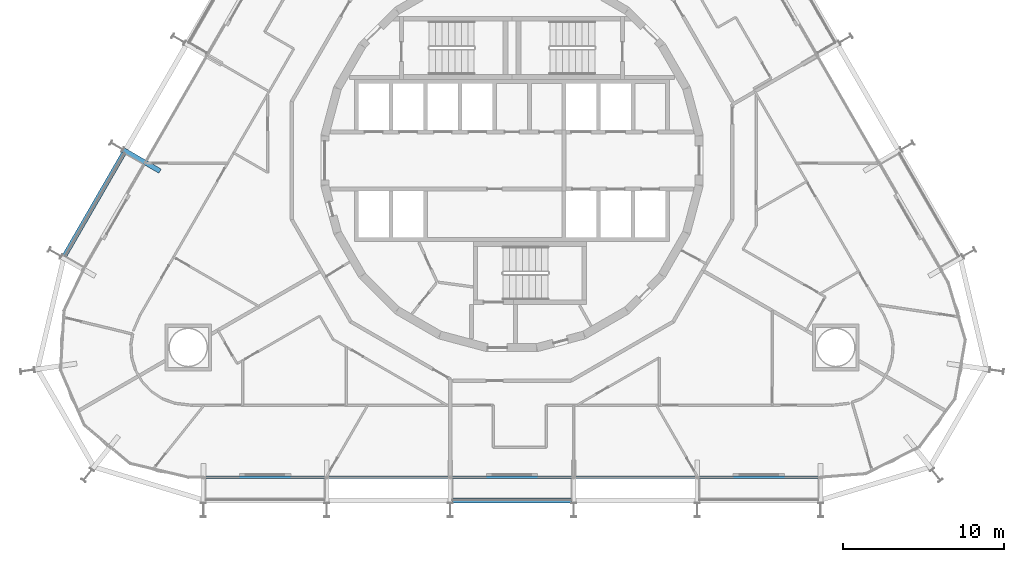
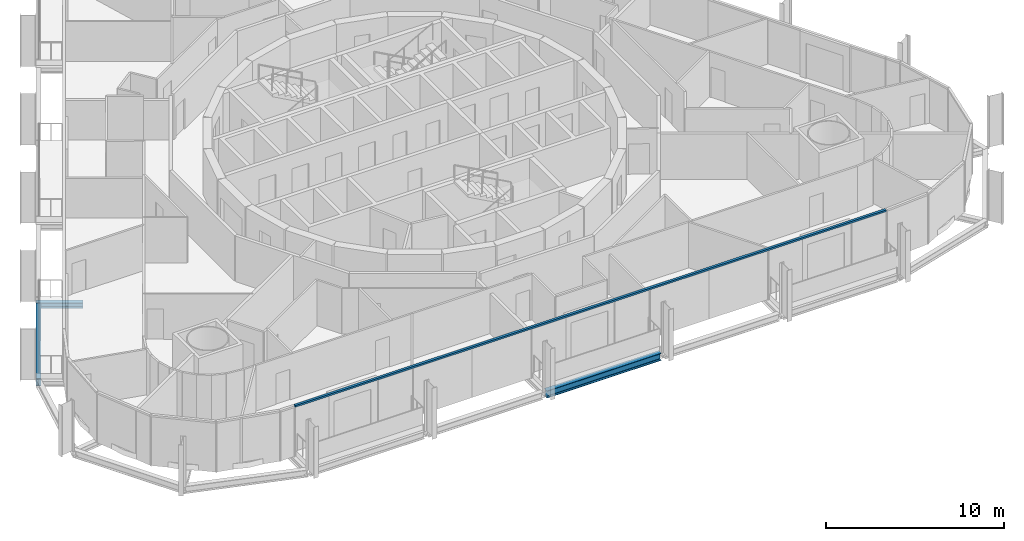
# One storey, part 4 of 20: 3 beams, 1 member, 1 element without a shape of its own.
"""IFC4 building model written with IfcOpenShell, lengths in metres."""

from ifc_helpers import new_model, si_unit, direction, frame, origin, origin_2d, place, context, subcontext, project, spatial, rectangle, i_section, extrude, material, layer, layer_set, material_profile, profile_set, type_object, element, aggregate, save


model = new_model("IFC4")

# Units and contexts
model_context = context("Model", 3, precision=1e-05, world=origin(), true_north=direction((0.0, 1.0)))
body_context = subcontext(model_context, "Body", "Model", "MODEL_VIEW")
ifc_project = project(units=[si_unit("LENGTHUNIT", "METRE"), si_unit("AREAUNIT", "SQUARE_METRE"), si_unit("VOLUMEUNIT", "CUBIC_METRE"), si_unit("PLANEANGLEUNIT", "RADIAN"), si_unit("MASSUNIT", "GRAM", prefix="KILO")], contexts=[model_context])

# Site, building, storey
site_placement = place(None, origin())
site = spatial("IfcSite", under=ifc_project, at=site_placement, CompositionType="ELEMENT")
building_placement = place(site_placement, origin())
building = spatial("IfcBuilding", under=site, at=building_placement, Name="Spindle Arch Residences", CompositionType="ELEMENT")
storey_placement = place(building_placement, frame((0.0, 0.0, 41.89990234375)))
storey = spatial("IfcBuildingStorey", under=building, at=storey_placement, Name="L08", CompositionType="ELEMENT", Elevation=41.89990234375)

# Curtain wall, member
ifc_material_1 = material(Name="Aluminium bronze unitised frame with tinted glass", Category="aluminium")
ifc_layer = layer(ifc_material_1, 0.159912109375)
ifc_layer_set = layer_set([ifc_layer], Name="CW-C typical residential unitised wall")
curtain_wall_type = type_object("IfcCurtainWallType", Name="CW-C typical residential unitised wall", PredefinedType="NOTDEFINED", material=ifc_layer_set)
curtain_wall_placement = place(storey_placement, origin())
curtain_wall = element("IfcCurtainWall", 1, at=curtain_wall_placement, inside=storey, type_object=curtain_wall_type, Name="CW-C L08 run 6", PredefinedType="NOTDEFINED")
ifc_material_2 = material(Name="Aluminium bronze anodised transom", Category="aluminium")
ifc_material_profile_1 = material_profile(ifc_material_2, rectangle(XDim=0.159912109375, YDim=0.1201171875, at=origin_2d()), Name="TR 120x160")
ifc_profile_set_1 = profile_set([ifc_material_profile_1], Name="Aluminium bronze anodised transom")
member_type = type_object("IfcMemberType", Name="Bronze transom 120x160", PredefinedType="USERDEFINED", material=ifc_profile_set_1)
member_placement = place(storey_placement, frame((-19.170166015625, -19.7099609375, 3.06005859375), z_axis=(1.0, 0.0, 0.0), x_axis=(0.0, 1.0, 0.0)))
member = element("IfcMember", 2, at=member_placement, type_object=member_type, Name="CW-C transom 00", ObjectType="TRANSOM", PredefinedType="USERDEFINED", context=body_context, shape_type="SweptSolid", body=[
    extrude(rectangle(XDim=0.159912109375, YDim=0.1201171875, at=origin_2d()), origin(), (0.0, 0.0, 1.0), 38.34033203125),
])
aggregate(curtain_wall, [member])

# Beams
ifc_material_3 = material(Name="Steel S460ML, intumescent coating R 120", Category="steel")
ifc_material_profile_2 = material_profile(ifc_material_3, i_section(OverallWidth=0.300048828125, OverallDepth=0.5, WebThickness=0.014404296875, FlangeThickness=0.028076171875, FilletRadius=0.027099609375, at=origin_2d()), Name="HEB 500")
ifc_profile_set_2 = profile_set([ifc_material_profile_2], Name="Steel S460ML, intumescent coating R 120")
beam_type_1 = type_object("IfcBeamType", Name="Exoskeleton edge beam HEB 500", PredefinedType="BEAM", material=ifc_profile_set_2)
beam_1_placement = place(storey_placement, frame((-24.13525390625, 0.482177734375, -0.6298828125), z_axis=(-0.49998923004, -0.866031621735, 0.0), x_axis=(0.866031621735, -0.49998923004, 0.0)))
element("IfcBeam", 3, at=beam_1_placement, inside=storey, type_object=beam_type_1, Name="Exoskeleton edge beam 18", PredefinedType="BEAM", context=body_context, shape_type="SweptSolid", body=[
    extrude(i_section(OverallWidth=0.300048828125, OverallDepth=0.5, WebThickness=0.014404296875, FlangeThickness=0.028076171875, FilletRadius=0.027099609375, at=origin_2d()), origin(), (0.0, 0.0, 1.0), 7.420166015625),
])
beam_2_placement = place(storey_placement, frame((-3.7099609375, -21.142822265625, -0.6298828125), z_axis=(1.0, 0.0, 0.0), x_axis=(0.0, 1.0, 0.0)))
element("IfcBeam", 4, at=beam_2_placement, inside=storey, type_object=beam_type_1, Name="Exoskeleton edge beam 24", PredefinedType="BEAM", context=body_context, shape_type="SweptSolid", body=[
    extrude(i_section(OverallWidth=0.300048828125, OverallDepth=0.5, WebThickness=0.014404296875, FlangeThickness=0.028076171875, FilletRadius=0.027099609375, at=origin_2d()), origin(), (0.0, 0.0, 1.0), 7.419921875),
])
ifc_material_4 = material(Name="Steel S460ML, intumescent coating R 120", Category="steel")
ifc_material_profile_3 = material_profile(ifc_material_4, i_section(OverallWidth=0.300048828125, OverallDepth=0.389892578125, WebThickness=0.010986328125, FlangeThickness=0.01904296875, FilletRadius=0.027099609375, at=origin_2d()), Name="HEA 400")
ifc_profile_set_3 = profile_set([ifc_material_profile_3], Name="Steel S460ML, intumescent coating R 120")
beam_type_2 = type_object("IfcBeamType", Name="Floor outrigger HEA 400", PredefinedType="BEAM", material=ifc_profile_set_3)
beam_3_placement = place(storey_placement, frame((-24.18896484375, 0.6630859375, -0.574951171875), z_axis=(0.866029095148, -0.499993606316, 0.0), x_axis=(0.499993606316, 0.866029095148, 0.0)))
element("IfcBeam", 5, at=beam_3_placement, inside=storey, type_object=beam_type_2, Name="Floor outrigger 18", PredefinedType="BEAM", context=body_context, shape_type="SweptSolid", body=[
    extrude(i_section(OverallWidth=0.300048828125, OverallDepth=0.389892578125, WebThickness=0.010986328125, FlangeThickness=0.01904296875, FilletRadius=0.027099609375, at=origin_2d()), origin(), (0.0, 0.0, 1.0), 2.64990234375),
])

save(model, "model.ifc")
